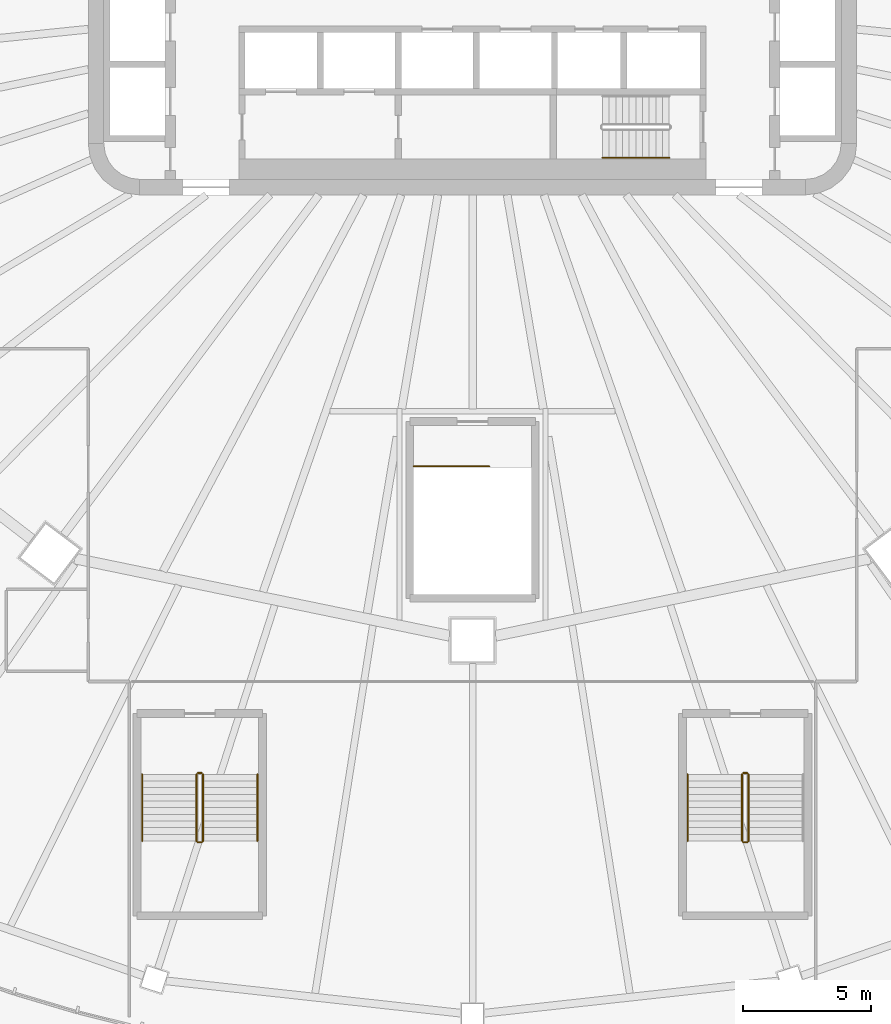
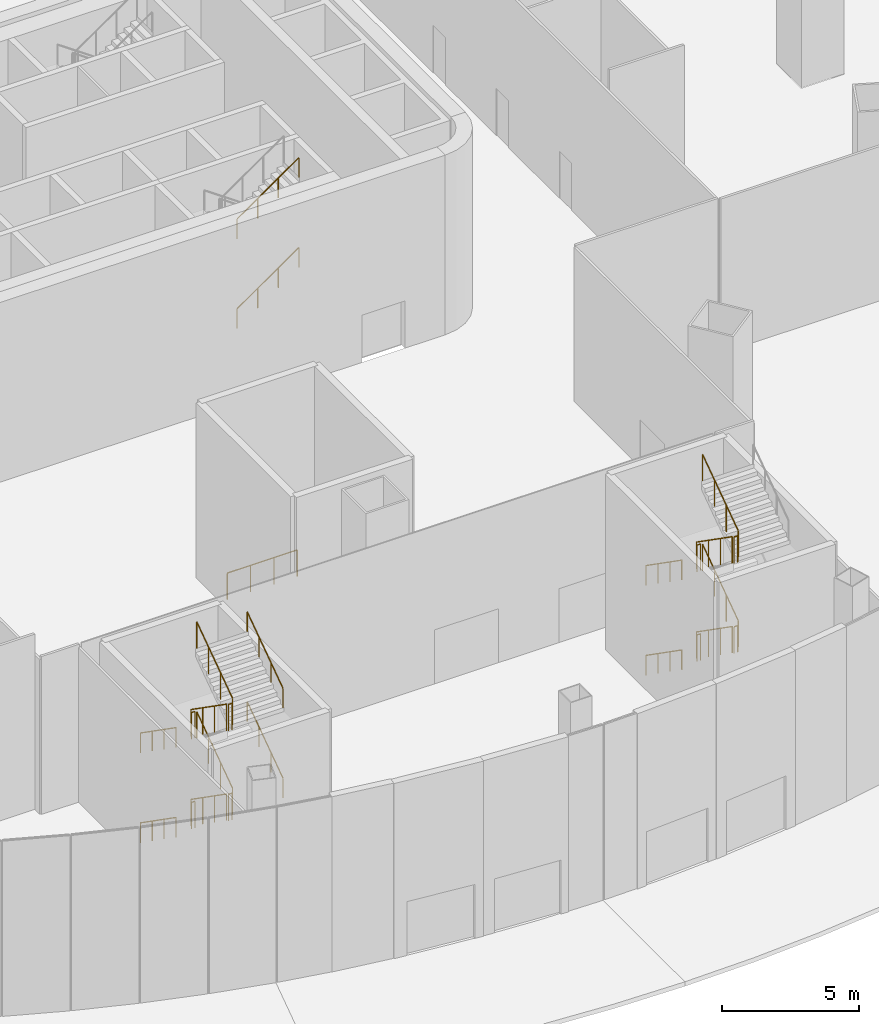
# One storey, part 33 of 36: 25 railings.
"""IFC4 building model written with IfcOpenShell, lengths in metres."""

from ifc_helpers import new_model, si_unit, direction, frame, origin, origin_2d, place, context, subcontext, project, spatial, circle, extrude, material, type_object, element, save


model = new_model("IFC4")

# Units and contexts
model_context = context("Model", 3, precision=1e-05, world=origin(), true_north=direction((0.0, 1.0)))
body_context = subcontext(model_context, "Body", "Model", "MODEL_VIEW")
ifc_project = project(units=[si_unit("LENGTHUNIT", "METRE"), si_unit("AREAUNIT", "SQUARE_METRE"), si_unit("VOLUMEUNIT", "CUBIC_METRE"), si_unit("PLANEANGLEUNIT", "RADIAN"), si_unit("MASSUNIT", "GRAM", prefix="KILO")], contexts=[model_context])

# Site, building, storey
site_placement = place(None, origin())
site = spatial("IfcSite", under=ifc_project, at=site_placement, CompositionType="ELEMENT")
building_placement = place(site_placement, origin())
building = spatial("IfcBuilding", under=site, at=building_placement, Name="Sahrelin Media Tower", CompositionType="ELEMENT")
storey_placement = place(building_placement, origin())
storey = spatial("IfcBuildingStorey", under=building, at=storey_placement, Name="L00", CompositionType="ELEMENT", Elevation=0.0)

# Railings
ifc_material = material(Name="Steel S355", Category="steel")
railing_type_1 = type_object("IfcRailingType", Name="Stair guard 1200", PredefinedType="GUARDRAIL", material=ifc_material)
railing_1_placement = place(storey_placement, frame((-10.77490234375, -30.625, 0.181884765625)))
element("IfcRailing", 1, at=railing_1_placement, inside=storey, type_object=railing_type_1, Name="L00 PS3 stair guard 1", PredefinedType="GUARDRAIL", context=body_context, shape_type="SweptSolid", body=[
    extrude(circle(Radius=0.02392578125, at=origin_2d()), frame((0.0, 0.0, 1.17578125), z_axis=(0.0, -0.819521025635, 0.573049115296), x_axis=(1.0, 0.0, 0.0)), (0.0, 0.0, 1.0), 3.172607421875),
    extrude(circle(Radius=0.02099609375, at=origin_2d()), origin(), (0.0, 0.0, 1.0), 1.15185546875),
    extrude(circle(Radius=0.02099609375, at=origin_2d()), frame((0.0, -0.86669921875, 0.60595703125)), (0.0, 0.0, 1.0), 1.15185546875),
    extrude(circle(Radius=0.02099609375, at=origin_2d()), frame((0.0, -1.7333984375, 1.212158203125)), (0.0, 0.0, 1.0), 1.15185546875),
    extrude(circle(Radius=0.02099609375, at=origin_2d()), frame((0.0, -2.60009765625, 1.818115234375)), (0.0, 0.0, 1.0), 1.15185546875),
])
railing_2_placement = place(storey_placement, frame((-10.72509765625, -33.27490234375, 2.0)))
element("IfcRailing", 2, at=railing_2_placement, inside=storey, type_object=railing_type_1, Name="L00 PS3 stair guard 2", PredefinedType="GUARDRAIL", context=body_context, shape_type="SweptSolid", body=[
    extrude(circle(Radius=0.02392578125, at=origin_2d()), frame((0.0, 0.0, 1.17578125), z_axis=(1.0, 0.0, 0.0), x_axis=(0.0, 1.0, 0.0)), (0.0, 0.0, 1.0), 0.150146484375),
    extrude(circle(Radius=0.02099609375, at=origin_2d()), origin(), (0.0, 0.0, 1.0), 1.15185546875),
    extrude(circle(Radius=0.02099609375, at=origin_2d()), frame((0.150146484375, 0.0, 0.0)), (0.0, 0.0, 1.0), 1.15185546875),
])
railing_3_placement = place(storey_placement, frame((-10.52490234375, -33.22509765625, 2.181884765625)))
element("IfcRailing", 3, at=railing_3_placement, inside=storey, type_object=railing_type_1, Name="L00 PS3 stair guard 3", PredefinedType="GUARDRAIL", context=body_context, shape_type="SweptSolid", body=[
    extrude(circle(Radius=0.02392578125, at=origin_2d()), frame((0.0, 0.0, 1.17578125), z_axis=(0.0, 0.819521025635, 0.573049115296), x_axis=(-1.0, 0.0, 0.0)), (0.0, 0.0, 1.0), 3.172607421875),
    extrude(circle(Radius=0.02099609375, at=origin_2d()), origin(), (0.0, 0.0, 1.0), 1.15185546875),
    extrude(circle(Radius=0.02099609375, at=origin_2d()), frame((0.0, 0.86669921875, 0.60595703125)), (0.0, 0.0, 1.0), 1.15185546875),
    extrude(circle(Radius=0.02099609375, at=origin_2d()), frame((0.0, 1.7333984375, 1.212158203125)), (0.0, 0.0, 1.0), 1.15185546875),
    extrude(circle(Radius=0.02099609375, at=origin_2d()), frame((0.0, 2.60009765625, 1.818115234375)), (0.0, 0.0, 1.0), 1.15185546875),
])
railing_4_placement = place(storey_placement, frame((-10.72509765625, -30.574951171875, 4.0)))
element("IfcRailing", 4, at=railing_4_placement, inside=storey, type_object=railing_type_1, Name="L00 PS3 stair guard 4", PredefinedType="GUARDRAIL", context=body_context, shape_type="SweptSolid", body=[
    extrude(circle(Radius=0.02392578125, at=origin_2d()), frame((0.0, 0.0, 1.17578125), z_axis=(1.0, 0.0, 0.0), x_axis=(0.0, 1.0, 0.0)), (0.0, 0.0, 1.0), 0.150146484375),
    extrude(circle(Radius=0.02099609375, at=origin_2d()), origin(), (0.0, 0.0, 1.0), 1.15185546875),
    extrude(circle(Radius=0.02099609375, at=origin_2d()), frame((0.150146484375, 0.0, 0.0)), (0.0, 0.0, 1.0), 1.15185546875),
])
railing_5_placement = place(storey_placement, frame((-10.77490234375, -30.625, 4.181884765625)))
element("IfcRailing", 5, at=railing_5_placement, inside=storey, type_object=railing_type_1, Name="L00 PS3 stair guard 5", PredefinedType="GUARDRAIL", context=body_context, shape_type="SweptSolid", body=[
    extrude(circle(Radius=0.02392578125, at=origin_2d()), frame((0.0, 0.0, 1.17578125), z_axis=(0.0, -0.819521025635, 0.573049115296), x_axis=(1.0, 0.0, 0.0)), (0.0, 0.0, 1.0), 3.172607421875),
    extrude(circle(Radius=0.02099609375, at=origin_2d()), origin(), (0.0, 0.0, 1.0), 1.15185546875),
    extrude(circle(Radius=0.02099609375, at=origin_2d()), frame((0.0, -0.86669921875, 0.60595703125)), (0.0, 0.0, 1.0), 1.15185546875),
    extrude(circle(Radius=0.02099609375, at=origin_2d()), frame((0.0, -1.7333984375, 1.212158203125)), (0.0, 0.0, 1.0), 1.15185546875),
    extrude(circle(Radius=0.02099609375, at=origin_2d()), frame((0.0, -2.60009765625, 1.818115234375)), (0.0, 0.0, 1.0), 1.15185546875),
])
railing_6_placement = place(storey_placement, frame((-10.72509765625, -33.27490234375, 6.0)))
element("IfcRailing", 6, at=railing_6_placement, inside=storey, type_object=railing_type_1, Name="L00 PS3 stair guard 6", PredefinedType="GUARDRAIL", context=body_context, shape_type="SweptSolid", body=[
    extrude(circle(Radius=0.02392578125, at=origin_2d()), frame((0.0, 0.0, 1.17578125), z_axis=(1.0, 0.0, 0.0), x_axis=(0.0, 1.0, 0.0)), (0.0, 0.0, 1.0), 0.150146484375),
    extrude(circle(Radius=0.02099609375, at=origin_2d()), origin(), (0.0, 0.0, 1.0), 1.15185546875),
    extrude(circle(Radius=0.02099609375, at=origin_2d()), frame((0.150146484375, 0.0, 0.0)), (0.0, 0.0, 1.0), 1.15185546875),
])
railing_7_placement = place(storey_placement, frame((-10.52490234375, -33.22509765625, 6.181884765625)))
element("IfcRailing", 7, at=railing_7_placement, inside=storey, type_object=railing_type_1, Name="L00 PS3 stair guard 7", PredefinedType="GUARDRAIL", context=body_context, shape_type="SweptSolid", body=[
    extrude(circle(Radius=0.02392578125, at=origin_2d()), frame((0.0, 0.0, 1.17578125), z_axis=(0.0, 0.819521025635, 0.573049115296), x_axis=(-1.0, 0.0, 0.0)), (0.0, 0.0, 1.0), 3.172607421875),
    extrude(circle(Radius=0.02099609375, at=origin_2d()), origin(), (0.0, 0.0, 1.0), 1.15185546875),
    extrude(circle(Radius=0.02099609375, at=origin_2d()), frame((0.0, 0.86669921875, 0.60595703125)), (0.0, 0.0, 1.0), 1.15185546875),
    extrude(circle(Radius=0.02099609375, at=origin_2d()), frame((0.0, 1.7333984375, 1.212158203125)), (0.0, 0.0, 1.0), 1.15185546875),
    extrude(circle(Radius=0.02099609375, at=origin_2d()), frame((0.0, 2.60009765625, 1.818115234375)), (0.0, 0.0, 1.0), 1.15185546875),
])
railing_8_placement = place(storey_placement, frame((-10.72509765625, -30.574951171875, 0.0)))
element("IfcRailing", 8, at=railing_8_placement, inside=storey, type_object=railing_type_1, Name="L00 PS3 stair guard 8", PredefinedType="GUARDRAIL", context=body_context, shape_type="SweptSolid", body=[
    extrude(circle(Radius=0.02392578125, at=origin_2d()), frame((0.0, 0.0, 1.17578125), z_axis=(1.0, 0.0, 0.0), x_axis=(0.0, 1.0, 0.0)), (0.0, 0.0, 1.0), 0.150146484375),
    extrude(circle(Radius=0.02099609375, at=origin_2d()), origin(), (0.0, 0.0, 1.0), 1.15185546875),
    extrude(circle(Radius=0.02099609375, at=origin_2d()), frame((0.150146484375, 0.0, 0.0)), (0.0, 0.0, 1.0), 1.15185546875),
])
railing_9_placement = place(storey_placement, frame((10.52490234375, -30.625, 0.181884765625)))
element("IfcRailing", 9, at=railing_9_placement, inside=storey, type_object=railing_type_1, Name="L00 PS4 stair guard 1", PredefinedType="GUARDRAIL", context=body_context, shape_type="SweptSolid", body=[
    extrude(circle(Radius=0.02392578125, at=origin_2d()), frame((0.0, 0.0, 1.17578125), z_axis=(0.0, -0.819521025635, 0.573049115296), x_axis=(1.0, 0.0, 0.0)), (0.0, 0.0, 1.0), 3.172607421875),
    extrude(circle(Radius=0.02099609375, at=origin_2d()), origin(), (0.0, 0.0, 1.0), 1.15185546875),
    extrude(circle(Radius=0.02099609375, at=origin_2d()), frame((0.0, -0.86669921875, 0.60595703125)), (0.0, 0.0, 1.0), 1.15185546875),
    extrude(circle(Radius=0.02099609375, at=origin_2d()), frame((0.0, -1.7333984375, 1.212158203125)), (0.0, 0.0, 1.0), 1.15185546875),
    extrude(circle(Radius=0.02099609375, at=origin_2d()), frame((0.0, -2.60009765625, 1.818115234375)), (0.0, 0.0, 1.0), 1.15185546875),
])
railing_10_placement = place(storey_placement, frame((10.574951171875, -33.27490234375, 2.0)))
element("IfcRailing", 10, at=railing_10_placement, inside=storey, type_object=railing_type_1, Name="L00 PS4 stair guard 2", PredefinedType="GUARDRAIL", context=body_context, shape_type="SweptSolid", body=[
    extrude(circle(Radius=0.02392578125, at=origin_2d()), frame((0.0, 0.0, 1.17578125), z_axis=(1.0, 0.0, 0.0), x_axis=(0.0, 1.0, 0.0)), (0.0, 0.0, 1.0), 0.150146484375),
    extrude(circle(Radius=0.02099609375, at=origin_2d()), origin(), (0.0, 0.0, 1.0), 1.15185546875),
    extrude(circle(Radius=0.02099609375, at=origin_2d()), frame((0.150146484375, 0.0, 0.0)), (0.0, 0.0, 1.0), 1.15185546875),
])
railing_11_placement = place(storey_placement, frame((10.77490234375, -33.22509765625, 2.181884765625)))
element("IfcRailing", 11, at=railing_11_placement, inside=storey, type_object=railing_type_1, Name="L00 PS4 stair guard 3", PredefinedType="GUARDRAIL", context=body_context, shape_type="SweptSolid", body=[
    extrude(circle(Radius=0.02392578125, at=origin_2d()), frame((0.0, 0.0, 1.17578125), z_axis=(0.0, 0.819521025635, 0.573049115296), x_axis=(-1.0, 0.0, 0.0)), (0.0, 0.0, 1.0), 3.172607421875),
    extrude(circle(Radius=0.02099609375, at=origin_2d()), origin(), (0.0, 0.0, 1.0), 1.15185546875),
    extrude(circle(Radius=0.02099609375, at=origin_2d()), frame((0.0, 0.86669921875, 0.60595703125)), (0.0, 0.0, 1.0), 1.15185546875),
    extrude(circle(Radius=0.02099609375, at=origin_2d()), frame((0.0, 1.7333984375, 1.212158203125)), (0.0, 0.0, 1.0), 1.15185546875),
    extrude(circle(Radius=0.02099609375, at=origin_2d()), frame((0.0, 2.60009765625, 1.818115234375)), (0.0, 0.0, 1.0), 1.15185546875),
])
railing_12_placement = place(storey_placement, frame((10.574951171875, -30.574951171875, 4.0)))
element("IfcRailing", 12, at=railing_12_placement, inside=storey, type_object=railing_type_1, Name="L00 PS4 stair guard 4", PredefinedType="GUARDRAIL", context=body_context, shape_type="SweptSolid", body=[
    extrude(circle(Radius=0.02392578125, at=origin_2d()), frame((0.0, 0.0, 1.17578125), z_axis=(1.0, 0.0, 0.0), x_axis=(0.0, 1.0, 0.0)), (0.0, 0.0, 1.0), 0.150146484375),
    extrude(circle(Radius=0.02099609375, at=origin_2d()), origin(), (0.0, 0.0, 1.0), 1.15185546875),
    extrude(circle(Radius=0.02099609375, at=origin_2d()), frame((0.150146484375, 0.0, 0.0)), (0.0, 0.0, 1.0), 1.15185546875),
])
railing_13_placement = place(storey_placement, frame((10.52490234375, -30.625, 4.181884765625)))
element("IfcRailing", 13, at=railing_13_placement, inside=storey, type_object=railing_type_1, Name="L00 PS4 stair guard 5", PredefinedType="GUARDRAIL", context=body_context, shape_type="SweptSolid", body=[
    extrude(circle(Radius=0.02392578125, at=origin_2d()), frame((0.0, 0.0, 1.17578125), z_axis=(0.0, -0.819521025635, 0.573049115296), x_axis=(1.0, 0.0, 0.0)), (0.0, 0.0, 1.0), 3.172607421875),
    extrude(circle(Radius=0.02099609375, at=origin_2d()), origin(), (0.0, 0.0, 1.0), 1.15185546875),
    extrude(circle(Radius=0.02099609375, at=origin_2d()), frame((0.0, -0.86669921875, 0.60595703125)), (0.0, 0.0, 1.0), 1.15185546875),
    extrude(circle(Radius=0.02099609375, at=origin_2d()), frame((0.0, -1.7333984375, 1.212158203125)), (0.0, 0.0, 1.0), 1.15185546875),
    extrude(circle(Radius=0.02099609375, at=origin_2d()), frame((0.0, -2.60009765625, 1.818115234375)), (0.0, 0.0, 1.0), 1.15185546875),
])
railing_14_placement = place(storey_placement, frame((10.574951171875, -33.27490234375, 6.0)))
element("IfcRailing", 14, at=railing_14_placement, inside=storey, type_object=railing_type_1, Name="L00 PS4 stair guard 6", PredefinedType="GUARDRAIL", context=body_context, shape_type="SweptSolid", body=[
    extrude(circle(Radius=0.02392578125, at=origin_2d()), frame((0.0, 0.0, 1.17578125), z_axis=(1.0, 0.0, 0.0), x_axis=(0.0, 1.0, 0.0)), (0.0, 0.0, 1.0), 0.150146484375),
    extrude(circle(Radius=0.02099609375, at=origin_2d()), origin(), (0.0, 0.0, 1.0), 1.15185546875),
    extrude(circle(Radius=0.02099609375, at=origin_2d()), frame((0.150146484375, 0.0, 0.0)), (0.0, 0.0, 1.0), 1.15185546875),
])
railing_15_placement = place(storey_placement, frame((10.77490234375, -33.22509765625, 6.181884765625)))
element("IfcRailing", 15, at=railing_15_placement, inside=storey, type_object=railing_type_1, Name="L00 PS4 stair guard 7", PredefinedType="GUARDRAIL", context=body_context, shape_type="SweptSolid", body=[
    extrude(circle(Radius=0.02392578125, at=origin_2d()), frame((0.0, 0.0, 1.17578125), z_axis=(0.0, 0.819521025635, 0.573049115296), x_axis=(-1.0, 0.0, 0.0)), (0.0, 0.0, 1.0), 3.172607421875),
    extrude(circle(Radius=0.02099609375, at=origin_2d()), origin(), (0.0, 0.0, 1.0), 1.15185546875),
    extrude(circle(Radius=0.02099609375, at=origin_2d()), frame((0.0, 0.86669921875, 0.60595703125)), (0.0, 0.0, 1.0), 1.15185546875),
    extrude(circle(Radius=0.02099609375, at=origin_2d()), frame((0.0, 1.7333984375, 1.212158203125)), (0.0, 0.0, 1.0), 1.15185546875),
    extrude(circle(Radius=0.02099609375, at=origin_2d()), frame((0.0, 2.60009765625, 1.818115234375)), (0.0, 0.0, 1.0), 1.15185546875),
])
railing_16_placement = place(storey_placement, frame((10.574951171875, -30.574951171875, 0.0)))
element("IfcRailing", 16, at=railing_16_placement, inside=storey, type_object=railing_type_1, Name="L00 PS4 stair guard 8", PredefinedType="GUARDRAIL", context=body_context, shape_type="SweptSolid", body=[
    extrude(circle(Radius=0.02392578125, at=origin_2d()), frame((0.0, 0.0, 1.17578125), z_axis=(1.0, 0.0, 0.0), x_axis=(0.0, 1.0, 0.0)), (0.0, 0.0, 1.0), 0.150146484375),
    extrude(circle(Radius=0.02099609375, at=origin_2d()), origin(), (0.0, 0.0, 1.0), 1.15185546875),
    extrude(circle(Radius=0.02099609375, at=origin_2d()), frame((0.150146484375, 0.0, 0.0)), (0.0, 0.0, 1.0), 1.15185546875),
])
railing_17_placement = place(storey_placement, frame((-2.300048828125, -18.60009765625, 0.0)))
element("IfcRailing", 17, at=railing_17_placement, inside=storey, type_object=railing_type_1, Name="L00 BS2 top well guard 1", PredefinedType="GUARDRAIL", context=body_context, shape_type="SweptSolid", body=[
    extrude(circle(Radius=0.02392578125, at=origin_2d()), frame((0.0, 0.0, 1.17578125), z_axis=(1.0, 0.0, 0.0), x_axis=(0.0, 1.0, 0.0)), (0.0, 0.0, 1.0), 2.949951171875),
    extrude(circle(Radius=0.02099609375, at=origin_2d()), origin(), (0.0, 0.0, 1.0), 1.15185546875),
    extrude(circle(Radius=0.02099609375, at=origin_2d()), frame((0.9833984375, 0.0, 0.0)), (0.0, 0.0, 1.0), 1.15185546875),
    extrude(circle(Radius=0.02099609375, at=origin_2d()), frame((1.966552734375, 0.0, 0.0)), (0.0, 0.0, 1.0), 1.15185546875),
    extrude(circle(Radius=0.02099609375, at=origin_2d()), frame((2.949951171875, 0.0, 0.0)), (0.0, 0.0, 1.0), 1.15185546875),
])
railing_type_2 = type_object("IfcRailingType", Name="Stair handrail 900", PredefinedType="HANDRAIL", material=ifc_material)
for number, where, name in (
    (18, (5.074951171875, -6.550048828125, 2.181884765625), "L00 ST2 stair handrail 2"),
    (19, (5.074951171875, -6.550048828125, 6.181884765625), "L00 ST2 stair handrail 4"),
):
    element("IfcRailing", number, at=place(storey_placement, frame(where)), inside=storey, type_object=railing_type_2, Name=name, PredefinedType="HANDRAIL", context=body_context, shape_type="SweptSolid", body=[
        extrude(circle(Radius=0.02392578125, at=origin_2d()), frame((0.0, 0.0, 0.8759765625), z_axis=(0.819521025635, 0.0, 0.573049115296), x_axis=(0.0, 1.0, 0.0)), (0.0, 0.0, 1.0), 3.172607421875),
        extrude(circle(Radius=0.02099609375, at=origin_2d()), origin(), (0.0, 0.0, 1.0), 0.851806640625),
        extrude(circle(Radius=0.02099609375, at=origin_2d()), frame((0.86669921875, 0.0, 0.60595703125)), (0.0, 0.0, 1.0), 0.851806640625),
        extrude(circle(Radius=0.02099609375, at=origin_2d()), frame((1.7333984375, 0.0, 1.212158203125)), (0.0, 0.0, 1.0), 0.851806640625),
        extrude(circle(Radius=0.02099609375, at=origin_2d()), frame((2.60009765625, 0.0, 1.818115234375)), (0.0, 0.0, 1.0), 0.851806640625),
    ])
railing_18_placement = place(storey_placement, frame((-12.89990234375, -30.625, 0.181884765625)))
element("IfcRailing", 20, at=railing_18_placement, inside=storey, type_object=railing_type_2, Name="L00 PS3 stair handrail 1", PredefinedType="HANDRAIL", context=body_context, shape_type="SweptSolid", body=[
    extrude(circle(Radius=0.02392578125, at=origin_2d()), frame((0.0, 0.0, 0.8759765625), z_axis=(0.0, -0.819521025635, 0.573049115296), x_axis=(1.0, 0.0, 0.0)), (0.0, 0.0, 1.0), 3.172607421875),
    extrude(circle(Radius=0.02099609375, at=origin_2d()), origin(), (0.0, 0.0, 1.0), 0.851806640625),
    extrude(circle(Radius=0.02099609375, at=origin_2d()), frame((0.0, -0.86669921875, 0.60595703125)), (0.0, 0.0, 1.0), 0.851806640625),
    extrude(circle(Radius=0.02099609375, at=origin_2d()), frame((0.0, -1.7333984375, 1.212158203125)), (0.0, 0.0, 1.0), 0.851806640625),
    extrude(circle(Radius=0.02099609375, at=origin_2d()), frame((0.0, -2.60009765625, 1.818115234375)), (0.0, 0.0, 1.0), 0.851806640625),
])
railing_19_placement = place(storey_placement, frame((-8.39990234375, -33.22509765625, 2.181884765625)))
element("IfcRailing", 21, at=railing_19_placement, inside=storey, type_object=railing_type_2, Name="L00 PS3 stair handrail 2", PredefinedType="HANDRAIL", context=body_context, shape_type="SweptSolid", body=[
    extrude(circle(Radius=0.02392578125, at=origin_2d()), frame((0.0, 0.0, 0.8759765625), z_axis=(0.0, 0.819521025635, 0.573049115296), x_axis=(-1.0, 0.0, 0.0)), (0.0, 0.0, 1.0), 3.172607421875),
    extrude(circle(Radius=0.02099609375, at=origin_2d()), origin(), (0.0, 0.0, 1.0), 0.851806640625),
    extrude(circle(Radius=0.02099609375, at=origin_2d()), frame((0.0, 0.86669921875, 0.60595703125)), (0.0, 0.0, 1.0), 0.851806640625),
    extrude(circle(Radius=0.02099609375, at=origin_2d()), frame((0.0, 1.7333984375, 1.212158203125)), (0.0, 0.0, 1.0), 0.851806640625),
    extrude(circle(Radius=0.02099609375, at=origin_2d()), frame((0.0, 2.60009765625, 1.818115234375)), (0.0, 0.0, 1.0), 0.851806640625),
])
railing_20_placement = place(storey_placement, frame((-12.89990234375, -30.625, 4.181884765625)))
element("IfcRailing", 22, at=railing_20_placement, inside=storey, type_object=railing_type_2, Name="L00 PS3 stair handrail 3", PredefinedType="HANDRAIL", context=body_context, shape_type="SweptSolid", body=[
    extrude(circle(Radius=0.02392578125, at=origin_2d()), frame((0.0, 0.0, 0.8759765625), z_axis=(0.0, -0.819521025635, 0.573049115296), x_axis=(1.0, 0.0, 0.0)), (0.0, 0.0, 1.0), 3.172607421875),
    extrude(circle(Radius=0.02099609375, at=origin_2d()), origin(), (0.0, 0.0, 1.0), 0.851806640625),
    extrude(circle(Radius=0.02099609375, at=origin_2d()), frame((0.0, -0.86669921875, 0.60595703125)), (0.0, 0.0, 1.0), 0.851806640625),
    extrude(circle(Radius=0.02099609375, at=origin_2d()), frame((0.0, -1.7333984375, 1.212158203125)), (0.0, 0.0, 1.0), 0.851806640625),
    extrude(circle(Radius=0.02099609375, at=origin_2d()), frame((0.0, -2.60009765625, 1.818115234375)), (0.0, 0.0, 1.0), 0.851806640625),
])
railing_21_placement = place(storey_placement, frame((-8.39990234375, -33.22509765625, 6.181884765625)))
element("IfcRailing", 23, at=railing_21_placement, inside=storey, type_object=railing_type_2, Name="L00 PS3 stair handrail 4", PredefinedType="HANDRAIL", context=body_context, shape_type="SweptSolid", body=[
    extrude(circle(Radius=0.02392578125, at=origin_2d()), frame((0.0, 0.0, 0.8759765625), z_axis=(0.0, 0.819521025635, 0.573049115296), x_axis=(-1.0, 0.0, 0.0)), (0.0, 0.0, 1.0), 3.172607421875),
    extrude(circle(Radius=0.02099609375, at=origin_2d()), origin(), (0.0, 0.0, 1.0), 0.851806640625),
    extrude(circle(Radius=0.02099609375, at=origin_2d()), frame((0.0, 0.86669921875, 0.60595703125)), (0.0, 0.0, 1.0), 0.851806640625),
    extrude(circle(Radius=0.02099609375, at=origin_2d()), frame((0.0, 1.7333984375, 1.212158203125)), (0.0, 0.0, 1.0), 0.851806640625),
    extrude(circle(Radius=0.02099609375, at=origin_2d()), frame((0.0, 2.60009765625, 1.818115234375)), (0.0, 0.0, 1.0), 0.851806640625),
])
for number, where, name in (
    (24, (8.39990234375, -30.625, 0.181884765625), "L00 PS4 stair handrail 1"),
    (25, (8.39990234375, -30.625, 4.181884765625), "L00 PS4 stair handrail 3"),
):
    element("IfcRailing", number, at=place(storey_placement, frame(where)), inside=storey, type_object=railing_type_2, Name=name, PredefinedType="HANDRAIL", context=body_context, shape_type="SweptSolid", body=[
        extrude(circle(Radius=0.02392578125, at=origin_2d()), frame((0.0, 0.0, 0.8759765625), z_axis=(0.0, -0.819521025635, 0.573049115296), x_axis=(1.0, 0.0, 0.0)), (0.0, 0.0, 1.0), 3.172607421875),
        extrude(circle(Radius=0.02099609375, at=origin_2d()), origin(), (0.0, 0.0, 1.0), 0.851806640625),
        extrude(circle(Radius=0.02099609375, at=origin_2d()), frame((0.0, -0.86669921875, 0.60595703125)), (0.0, 0.0, 1.0), 0.851806640625),
        extrude(circle(Radius=0.02099609375, at=origin_2d()), frame((0.0, -1.7333984375, 1.212158203125)), (0.0, 0.0, 1.0), 0.851806640625),
        extrude(circle(Radius=0.02099609375, at=origin_2d()), frame((0.0, -2.60009765625, 1.818115234375)), (0.0, 0.0, 1.0), 0.851806640625),
    ])

save(model, "model.ifc")
